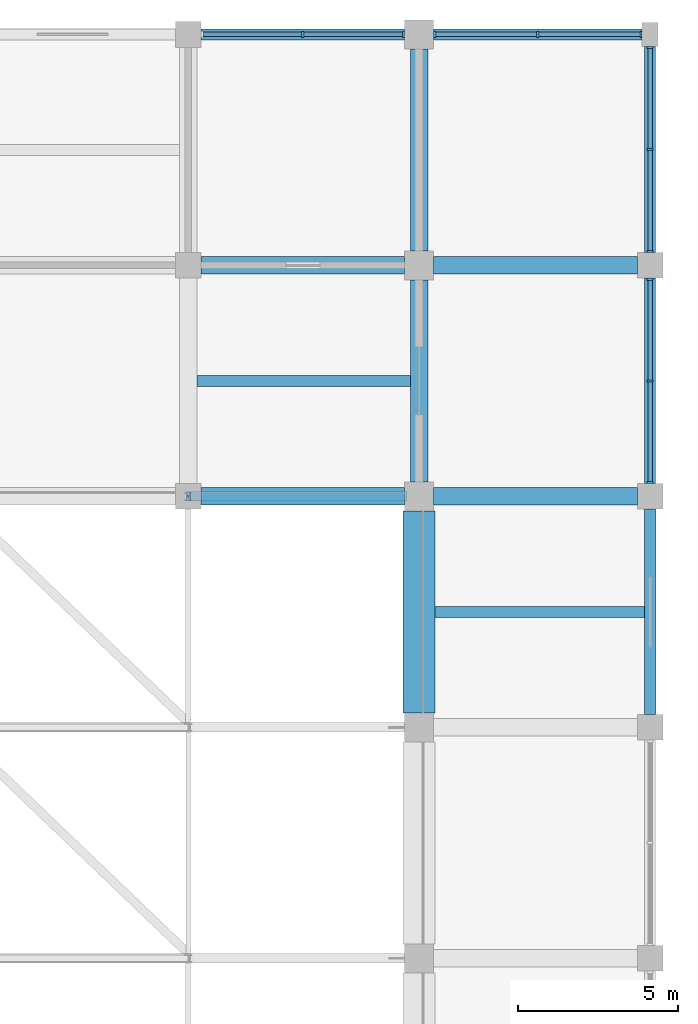
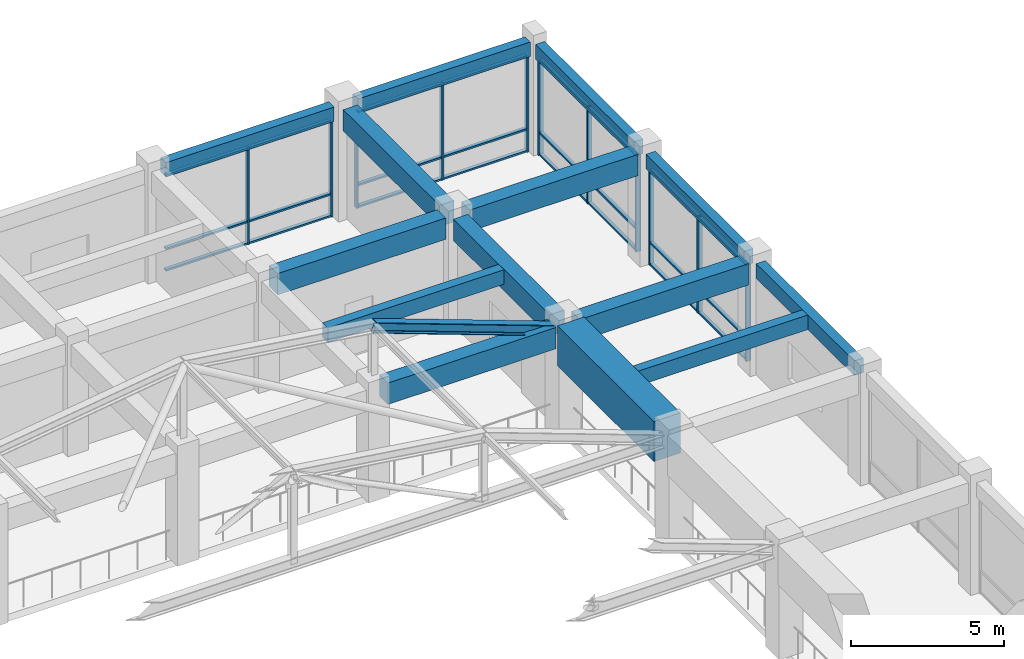
# One storey, part 46 of 75: 36 members, 14 beams, 4 elements without a shape of their own.
"""IFC4 building model written with IfcOpenShell, lengths in metres."""

from ifc_helpers import new_model, si_unit, direction, frame, origin, origin_2d, place, context, subcontext, project, spatial, rectangle, i_section, extrude, material, layer, layer_set, material_profile, profile_set, type_object, element, aggregate, save


model = new_model("IFC4")

# Units and contexts
model_context = context("Model", 3, precision=1e-05, world=origin(), true_north=direction((0.0, 1.0)))
body_context = subcontext(model_context, "Body", "Model", "MODEL_VIEW")
ifc_project = project(units=[si_unit("LENGTHUNIT", "METRE"), si_unit("AREAUNIT", "SQUARE_METRE"), si_unit("VOLUMEUNIT", "CUBIC_METRE"), si_unit("PLANEANGLEUNIT", "RADIAN"), si_unit("MASSUNIT", "GRAM", prefix="KILO")], contexts=[model_context])

# Site, building, storey
site_placement = place(None, origin())
site = spatial("IfcSite", under=ifc_project, at=site_placement, CompositionType="ELEMENT")
building_placement = place(site_placement, origin())
building = spatial("IfcBuilding", under=site, at=building_placement, Name="Cendaluz Park School", CompositionType="ELEMENT")
storey_placement = place(building_placement, frame((0.0, 0.0, 4.800048828125)))
storey = spatial("IfcBuildingStorey", under=building, at=storey_placement, Name="L01", CompositionType="ELEMENT", Elevation=4.800048828125)

# Beams
ifc_material_1 = material(Name="Concrete C40/50", Category="concrete")
ifc_material_profile_1 = material_profile(ifc_material_1, rectangle(XDim=0.550048828125, YDim=0.85009765625, at=origin_2d()), Name="RC 550x850", Category="concrete")
ifc_profile_set_1 = profile_set([ifc_material_profile_1], Name="Concrete C40/50")
beam_type_1 = type_object("IfcBeamType", Name="BM-RC01", PredefinedType="BEAM", material=ifc_profile_set_1)
for number, where, z_axis, x_axis, name in (
    (1, (158.800048828125, 100.800048828125, 4.0048828125), (1.0, 0.0, 0.0), (0.0, 1.0, 0.0), "BM-L01-BMRC01-0208"),
    (2, (158.800048828125, 108.0, 4.0048828125), (1.0, 0.0, 0.0), (0.0, 1.0, 0.0), "BM-L01-BMRC01-0209"),
    (3, (166.050048828125, 100.800048828125, 4.0048828125), (1.0, 0.0, 0.0), (0.0, 1.0, 0.0), "BM-L01-BMRC01-0222"),
    (4, (166.050048828125, 108.0, 4.0048828125), (1.0, 0.0, 0.0), (0.0, 1.0, 0.0), "BM-L01-BMRC01-0223"),
):
    element("IfcBeam", number, at=place(storey_placement, frame(where, z_axis=z_axis, x_axis=x_axis)), inside=storey, type_object=beam_type_1, Name=name, PredefinedType="BEAM", context=body_context, shape_type="SweptSolid", body=[
        extrude(rectangle(XDim=0.550048828125, YDim=0.85009765625, at=origin_2d()), origin(), (0.0, 0.0, 1.0), 6.349853515625),
    ])
for number, where, z_axis, x_axis, name in (
    (5, (165.60009765625, 101.25, 4.0048828125), (0.0, 1.0, 0.0), (-1.0, 0.0, 0.0), "BM-L01-BMRC01-0451"),
    (6, (165.60009765625, 108.449951171875, 4.0048828125), (0.0, 1.0, 0.0), (-1.0, 0.0, 0.0), "BM-L01-BMRC01-0452"),
):
    element("IfcBeam", number, at=place(storey_placement, frame(where, z_axis=z_axis, x_axis=x_axis)), inside=storey, type_object=beam_type_1, Name=name, PredefinedType="BEAM", context=body_context, shape_type="SweptSolid", body=[
        extrude(rectangle(XDim=0.550048828125, YDim=0.85009765625, at=origin_2d()), origin(), (0.0, 0.0, 1.0), 6.300048828125),
    ])
ifc_material_profile_2 = material_profile(ifc_material_1, rectangle(XDim=0.35009765625, YDim=0.580078125, at=origin_2d()), Name="RC 350x580", Category="concrete")
ifc_profile_set_2 = profile_set([ifc_material_profile_2], Name="Concrete C40/50")
beam_type_2 = type_object("IfcBeamType", Name="BM-RC04", PredefinedType="LINTEL", material=ifc_profile_set_2)
beam_1_placement = place(storey_placement, frame((158.800048828125, 115.199951171875, 4.139892578125), z_axis=(1.0, 0.0, 0.0), x_axis=(0.0, 1.0, 0.0)))
element("IfcBeam", 7, at=beam_1_placement, inside=storey, type_object=beam_type_2, Name="BM-L01-BMRC04-0210", PredefinedType="LINTEL", context=body_context, shape_type="SweptSolid", body=[
    extrude(rectangle(XDim=0.35009765625, YDim=0.580078125, at=origin_2d()), origin(), (0.0, 0.0, 1.0), 6.349853515625),
])
beam_2_placement = place(storey_placement, frame((166.050048828125, 115.199951171875, 4.139892578125), z_axis=(1.0, 0.0, 0.0), x_axis=(0.0, 1.0, 0.0)))
element("IfcBeam", 8, at=beam_2_placement, inside=storey, type_object=beam_type_2, Name="BM-L01-BMRC04-0224", PredefinedType="LINTEL", context=body_context, shape_type="SweptSolid", body=[
    extrude(rectangle(XDim=0.35009765625, YDim=0.580078125, at=origin_2d()), origin(), (0.0, 0.0, 1.0), 6.5),
])
beam_3_placement = place(storey_placement, frame((172.800048828125, 94.0, 4.139892578125), z_axis=(0.0, 1.0, 0.0), x_axis=(-1.0, 0.0, 0.0)))
element("IfcBeam", 9, at=beam_3_placement, inside=storey, type_object=beam_type_2, Name="BM-L01-BMRC04-0462", PredefinedType="LINTEL", context=body_context, shape_type="SweptSolid", body=[
    extrude(rectangle(XDim=0.35009765625, YDim=0.580078125, at=origin_2d()), origin(), (0.0, 0.0, 1.0), 6.39990234375),
])
beam_4_placement = place(storey_placement, frame((172.800048828125, 101.199951171875, 4.139892578125), z_axis=(0.0, 1.0, 0.0), x_axis=(-1.0, 0.0, 0.0)))
element("IfcBeam", 10, at=beam_4_placement, inside=storey, type_object=beam_type_2, Name="BM-L01-BMRC04-0463", PredefinedType="LINTEL", context=body_context, shape_type="SweptSolid", body=[
    extrude(rectangle(XDim=0.35009765625, YDim=0.580078125, at=origin_2d()), origin(), (0.0, 0.0, 1.0), 6.400146484375),
])
beam_5_placement = place(storey_placement, frame((172.800048828125, 108.39990234375, 4.139892578125), z_axis=(0.0, 1.0, 0.0), x_axis=(-1.0, 0.0, 0.0)))
element("IfcBeam", 11, at=beam_5_placement, inside=storey, type_object=beam_type_2, Name="BM-L01-BMRC04-0464", PredefinedType="LINTEL", context=body_context, shape_type="SweptSolid", body=[
    extrude(rectangle(XDim=0.35009765625, YDim=0.580078125, at=origin_2d()), origin(), (0.0, 0.0, 1.0), 6.425048828125),
])

# Curtain wall, members
ifc_material_2 = material(Name="Anodised Aluminium 6063-T6", Category="aluminium")
ifc_layer_1 = layer(ifc_material_2, 0.179931640625)
ifc_layer_set_1 = layer_set([ifc_layer_1], Name="Anodised Aluminium 6063-T6")
curtain_wall_type_1 = type_object("IfcCurtainWallType", Name="CW-127x77", PredefinedType="NOTDEFINED", material=ifc_layer_set_1)
curtain_wall_1_placement = place(storey_placement, origin())
curtain_wall_1 = element("IfcCurtainWall", 12, at=curtain_wall_1_placement, inside=storey, type_object=curtain_wall_type_1, Name="CW-L01-077", PredefinedType="NOTDEFINED")
ifc_material_profile_3 = material_profile(ifc_material_2, rectangle(XDim=0.179931640625, YDim=0.070068359375, at=origin_2d()), Name="CWM 180x70", Category="aluminium")
ifc_profile_set_3 = profile_set([ifc_material_profile_3], Name="Anodised Aluminium 6063-T6")
member_type_1 = type_object("IfcMemberType", Name="CWM-01", PredefinedType="MULLION", material=ifc_profile_set_3)
member_1_placement = place(storey_placement, frame((161.97509765625, 115.199951171875, 0.0), z_axis=(0.0, 0.0, 1.0), x_axis=(0.0, 1.0, 0.0)))
member_1 = element("IfcMember", 13, at=member_1_placement, type_object=member_type_1, Name="CP-L01-0990", PredefinedType="MULLION", context=body_context, shape_type="SweptSolid", body=[
    extrude(rectangle(XDim=0.179931640625, YDim=0.070068359375, at=origin_2d()), origin(), (0.0, 0.0, 1.0), 3.849853515625),
])
member_2_placement = place(storey_placement, frame((165.114990234375, 115.199951171875, 0.0), z_axis=(0.0, 0.0, 1.0), x_axis=(0.0, 1.0, 0.0)))
member_2 = element("IfcMember", 14, at=member_2_placement, type_object=member_type_1, Name="CP-L01-0991", PredefinedType="MULLION", context=body_context, shape_type="SweptSolid", body=[
    extrude(rectangle(XDim=0.179931640625, YDim=0.070068359375, at=origin_2d()), origin(), (0.0, 0.0, 1.0), 3.849853515625),
])

ifc_layer_2 = layer(ifc_material_2, 0.179931640625)
ifc_layer_set_2 = layer_set([ifc_layer_2], Name="Anodised Aluminium 6063-T6")
curtain_wall_type_2 = type_object("IfcCurtainWallType", Name="CW-128x77", PredefinedType="NOTDEFINED", material=ifc_layer_set_2)
curtain_wall_2_placement = place(storey_placement, origin())
curtain_wall_2 = element("IfcCurtainWall", 15, at=curtain_wall_2_placement, inside=storey, type_object=curtain_wall_type_2, Name="CW-L01-087", PredefinedType="NOTDEFINED")
member_3_placement = place(storey_placement, frame((172.800048828125, 101.235107421875, 0.0), z_axis=(0.0, 0.0, 1.0), x_axis=(-1.0, 0.0, 0.0)))
member_3 = element("IfcMember", 16, at=member_3_placement, type_object=member_type_1, Name="CP-L01-1119", PredefinedType="MULLION", context=body_context, shape_type="SweptSolid", body=[
    extrude(rectangle(XDim=0.179931640625, YDim=0.070068359375, at=origin_2d()), origin(), (0.0, 0.0, 1.0), 3.849853515625),
])
member_4_placement = place(storey_placement, frame((172.800048828125, 104.39990234375, 0.0), z_axis=(0.0, 0.0, 1.0), x_axis=(-1.0, 0.0, 0.0)))
member_4 = element("IfcMember", 17, at=member_4_placement, type_object=member_type_1, Name="CP-L01-1120", PredefinedType="MULLION", context=body_context, shape_type="SweptSolid", body=[
    extrude(rectangle(XDim=0.179931640625, YDim=0.070068359375, at=origin_2d()), origin(), (0.0, 0.0, 1.0), 3.849853515625),
])
member_5_placement = place(storey_placement, frame((172.800048828125, 107.56494140625, 0.0), z_axis=(0.0, 0.0, 1.0), x_axis=(-1.0, 0.0, 0.0)))
member_5 = element("IfcMember", 18, at=member_5_placement, type_object=member_type_1, Name="CP-L01-1121", PredefinedType="MULLION", context=body_context, shape_type="SweptSolid", body=[
    extrude(rectangle(XDim=0.179931640625, YDim=0.070068359375, at=origin_2d()), origin(), (0.0, 0.0, 1.0), 3.849853515625),
])

ifc_layer_3 = layer(ifc_material_2, 0.179931640625)
ifc_layer_set_3 = layer_set([ifc_layer_3], Name="Anodised Aluminium 6063-T6")
curtain_wall_type_3 = type_object("IfcCurtainWallType", Name="CW-130x77", PredefinedType="NOTDEFINED", material=ifc_layer_set_3)
curtain_wall_3_placement = place(storey_placement, origin())
curtain_wall_3 = element("IfcCurtainWall", 19, at=curtain_wall_3_placement, inside=storey, type_object=curtain_wall_type_3, Name="CW-L01-088", PredefinedType="NOTDEFINED")
member_6_placement = place(storey_placement, frame((166.0849609375, 115.199951171875, 0.0), z_axis=(0.0, 0.0, 1.0), x_axis=(0.0, 1.0, 0.0)))
member_6 = element("IfcMember", 20, at=member_6_placement, type_object=member_type_1, Name="CP-L01-1132", PredefinedType="MULLION", context=body_context, shape_type="SweptSolid", body=[
    extrude(rectangle(XDim=0.179931640625, YDim=0.070068359375, at=origin_2d()), origin(), (0.0, 0.0, 1.0), 3.849853515625),
])
member_7_placement = place(storey_placement, frame((169.300048828125, 115.199951171875, 0.0), z_axis=(0.0, 0.0, 1.0), x_axis=(0.0, 1.0, 0.0)))
member_7 = element("IfcMember", 21, at=member_7_placement, type_object=member_type_1, Name="CP-L01-1133", PredefinedType="MULLION", context=body_context, shape_type="SweptSolid", body=[
    extrude(rectangle(XDim=0.179931640625, YDim=0.070068359375, at=origin_2d()), origin(), (0.0, 0.0, 1.0), 3.849853515625),
])
member_8_placement = place(storey_placement, frame((172.514892578125, 115.199951171875, 0.0), z_axis=(0.0, 0.0, 1.0), x_axis=(0.0, 1.0, 0.0)))
member_8 = element("IfcMember", 22, at=member_8_placement, type_object=member_type_1, Name="CP-L01-1134", PredefinedType="MULLION", context=body_context, shape_type="SweptSolid", body=[
    extrude(rectangle(XDim=0.179931640625, YDim=0.070068359375, at=origin_2d()), origin(), (0.0, 0.0, 1.0), 3.849853515625),
])

curtain_wall_4_placement = place(storey_placement, origin())
curtain_wall_4 = element("IfcCurtainWall", 23, at=curtain_wall_4_placement, inside=storey, type_object=curtain_wall_type_2, Name="CW-L01-089", PredefinedType="NOTDEFINED")
member_9_placement = place(storey_placement, frame((172.800048828125, 108.43505859375, 0.0), z_axis=(0.0, 0.0, 1.0), x_axis=(-1.0, 0.0, 0.0)))
member_9 = element("IfcMember", 24, at=member_9_placement, type_object=member_type_1, Name="CP-L01-1145", PredefinedType="MULLION", context=body_context, shape_type="SweptSolid", body=[
    extrude(rectangle(XDim=0.179931640625, YDim=0.070068359375, at=origin_2d()), origin(), (0.0, 0.0, 1.0), 3.849853515625),
])
member_10_placement = place(storey_placement, frame((172.800048828125, 111.612548828125, 0.0), z_axis=(0.0, 0.0, 1.0), x_axis=(-1.0, 0.0, 0.0)))
member_10 = element("IfcMember", 25, at=member_10_placement, type_object=member_type_1, Name="CP-L01-1146", PredefinedType="MULLION", context=body_context, shape_type="SweptSolid", body=[
    extrude(rectangle(XDim=0.179931640625, YDim=0.070068359375, at=origin_2d()), origin(), (0.0, 0.0, 1.0), 3.849853515625),
])
member_11_placement = place(storey_placement, frame((172.800048828125, 114.7900390625, 0.0), z_axis=(0.0, 0.0, 1.0), x_axis=(-1.0, 0.0, 0.0)))
member_11 = element("IfcMember", 26, at=member_11_placement, type_object=member_type_1, Name="CP-L01-1147", PredefinedType="MULLION", context=body_context, shape_type="SweptSolid", body=[
    extrude(rectangle(XDim=0.179931640625, YDim=0.070068359375, at=origin_2d()), origin(), (0.0, 0.0, 1.0), 3.849853515625),
])

# Member
ifc_material_profile_4 = material_profile(ifc_material_2, rectangle(XDim=0.139892578125, YDim=0.070068359375, at=origin_2d()), Name="CWT 140x70", Category="aluminium")
ifc_profile_set_4 = profile_set([ifc_material_profile_4], Name="Anodised Aluminium 6063-T6")
member_type_2 = type_object("IfcMemberType", Name="CWT-01", PredefinedType="USERDEFINED", material=ifc_profile_set_4)
member_12_placement = place(storey_placement, frame((158.8701171875, 115.199951171875, 0.034912109375), z_axis=(1.0, 0.0, 0.0), x_axis=(0.0, 1.0, 0.0)))
member_12 = element("IfcMember", 27, at=member_12_placement, type_object=member_type_2, Name="CP-L01-0992", ObjectType="TRANSOM", PredefinedType="USERDEFINED", context=body_context, shape_type="SweptSolid", body=[
    extrude(rectangle(XDim=0.139892578125, YDim=0.070068359375, at=origin_2d()), origin(), (0.0, 0.0, 1.0), 3.06982421875),
])

member_13_placement = place(storey_placement, frame((158.8701171875, 115.199951171875, 0.89990234375), z_axis=(1.0, 0.0, 0.0), x_axis=(0.0, 1.0, 0.0)))
member_13 = element("IfcMember", 28, at=member_13_placement, type_object=member_type_2, Name="CP-L01-0993", ObjectType="TRANSOM", PredefinedType="USERDEFINED", context=body_context, shape_type="SweptSolid", body=[
    extrude(rectangle(XDim=0.139892578125, YDim=0.070068359375, at=origin_2d()), origin(), (0.0, 0.0, 1.0), 3.06982421875),
])

member_14_placement = place(storey_placement, frame((158.8701171875, 115.199951171875, 3.81494140625), z_axis=(1.0, 0.0, 0.0), x_axis=(0.0, 1.0, 0.0)))
member_14 = element("IfcMember", 29, at=member_14_placement, type_object=member_type_2, Name="CP-L01-0994", ObjectType="TRANSOM", PredefinedType="USERDEFINED", context=body_context, shape_type="SweptSolid", body=[
    extrude(rectangle(XDim=0.139892578125, YDim=0.070068359375, at=origin_2d()), origin(), (0.0, 0.0, 1.0), 3.06982421875),
])

member_15_placement = place(storey_placement, frame((162.010009765625, 115.199951171875, 0.034912109375), z_axis=(1.0, 0.0, 0.0), x_axis=(0.0, 1.0, 0.0)))
member_15 = element("IfcMember", 30, at=member_15_placement, type_object=member_type_2, Name="CP-L01-0997", ObjectType="TRANSOM", PredefinedType="USERDEFINED", context=body_context, shape_type="SweptSolid", body=[
    extrude(rectangle(XDim=0.139892578125, YDim=0.070068359375, at=origin_2d()), origin(), (0.0, 0.0, 1.0), 3.070068359375),
])

member_16_placement = place(storey_placement, frame((162.010009765625, 115.199951171875, 0.89990234375), z_axis=(1.0, 0.0, 0.0), x_axis=(0.0, 1.0, 0.0)))
member_16 = element("IfcMember", 31, at=member_16_placement, type_object=member_type_2, Name="CP-L01-0998", ObjectType="TRANSOM", PredefinedType="USERDEFINED", context=body_context, shape_type="SweptSolid", body=[
    extrude(rectangle(XDim=0.139892578125, YDim=0.070068359375, at=origin_2d()), origin(), (0.0, 0.0, 1.0), 3.070068359375),
])

member_17_placement = place(storey_placement, frame((162.010009765625, 115.199951171875, 3.81494140625), z_axis=(1.0, 0.0, 0.0), x_axis=(0.0, 1.0, 0.0)))
member_17 = element("IfcMember", 32, at=member_17_placement, type_object=member_type_2, Name="CP-L01-0999", ObjectType="TRANSOM", PredefinedType="USERDEFINED", context=body_context, shape_type="SweptSolid", body=[
    extrude(rectangle(XDim=0.139892578125, YDim=0.070068359375, at=origin_2d()), origin(), (0.0, 0.0, 1.0), 3.070068359375),
])

aggregate(curtain_wall_1, [member_1, member_2, member_12, member_13, member_14, member_15, member_16, member_17])

member_18_placement = place(storey_placement, frame((172.800048828125, 101.27001953125, 0.034912109375), z_axis=(0.0, 1.0, 0.0), x_axis=(-1.0, 0.0, 0.0)))
member_18 = element("IfcMember", 33, at=member_18_placement, type_object=member_type_2, Name="CP-L01-1122", ObjectType="TRANSOM", PredefinedType="USERDEFINED", context=body_context, shape_type="SweptSolid", body=[
    extrude(rectangle(XDim=0.139892578125, YDim=0.070068359375, at=origin_2d()), origin(), (0.0, 0.0, 1.0), 3.094970703125),
])

member_19_placement = place(storey_placement, frame((172.800048828125, 101.27001953125, 0.89990234375), z_axis=(0.0, 1.0, 0.0), x_axis=(-1.0, 0.0, 0.0)))
member_19 = element("IfcMember", 34, at=member_19_placement, type_object=member_type_2, Name="CP-L01-1123", ObjectType="TRANSOM", PredefinedType="USERDEFINED", context=body_context, shape_type="SweptSolid", body=[
    extrude(rectangle(XDim=0.139892578125, YDim=0.070068359375, at=origin_2d()), origin(), (0.0, 0.0, 1.0), 3.094970703125),
])

member_20_placement = place(storey_placement, frame((172.800048828125, 101.27001953125, 3.81494140625), z_axis=(0.0, 1.0, 0.0), x_axis=(-1.0, 0.0, 0.0)))
member_20 = element("IfcMember", 35, at=member_20_placement, type_object=member_type_2, Name="CP-L01-1124", ObjectType="TRANSOM", PredefinedType="USERDEFINED", context=body_context, shape_type="SweptSolid", body=[
    extrude(rectangle(XDim=0.139892578125, YDim=0.070068359375, at=origin_2d()), origin(), (0.0, 0.0, 1.0), 3.094970703125),
])

member_21_placement = place(storey_placement, frame((172.800048828125, 104.43505859375, 0.034912109375), z_axis=(0.0, 1.0, 0.0), x_axis=(-1.0, 0.0, 0.0)))
member_21 = element("IfcMember", 36, at=member_21_placement, type_object=member_type_2, Name="CP-L01-1127", ObjectType="TRANSOM", PredefinedType="USERDEFINED", context=body_context, shape_type="SweptSolid", body=[
    extrude(rectangle(XDim=0.139892578125, YDim=0.070068359375, at=origin_2d()), origin(), (0.0, 0.0, 1.0), 3.094970703125),
])

member_22_placement = place(storey_placement, frame((172.800048828125, 104.43505859375, 0.89990234375), z_axis=(0.0, 1.0, 0.0), x_axis=(-1.0, 0.0, 0.0)))
member_22 = element("IfcMember", 37, at=member_22_placement, type_object=member_type_2, Name="CP-L01-1128", ObjectType="TRANSOM", PredefinedType="USERDEFINED", context=body_context, shape_type="SweptSolid", body=[
    extrude(rectangle(XDim=0.139892578125, YDim=0.070068359375, at=origin_2d()), origin(), (0.0, 0.0, 1.0), 3.094970703125),
])

member_23_placement = place(storey_placement, frame((172.800048828125, 104.43505859375, 3.81494140625), z_axis=(0.0, 1.0, 0.0), x_axis=(-1.0, 0.0, 0.0)))
member_23 = element("IfcMember", 38, at=member_23_placement, type_object=member_type_2, Name="CP-L01-1129", ObjectType="TRANSOM", PredefinedType="USERDEFINED", context=body_context, shape_type="SweptSolid", body=[
    extrude(rectangle(XDim=0.139892578125, YDim=0.070068359375, at=origin_2d()), origin(), (0.0, 0.0, 1.0), 3.094970703125),
])

aggregate(curtain_wall_2, [member_3, member_4, member_5, member_18, member_19, member_20, member_21, member_22, member_23])

member_24_placement = place(storey_placement, frame((166.1201171875, 115.199951171875, 0.034912109375), z_axis=(1.0, 0.0, 0.0), x_axis=(0.0, 1.0, 0.0)))
member_24 = element("IfcMember", 39, at=member_24_placement, type_object=member_type_2, Name="CP-L01-1135", ObjectType="TRANSOM", PredefinedType="USERDEFINED", context=body_context, shape_type="SweptSolid", body=[
    extrude(rectangle(XDim=0.139892578125, YDim=0.070068359375, at=origin_2d()), origin(), (0.0, 0.0, 1.0), 3.144775390625),
])

member_25_placement = place(storey_placement, frame((166.1201171875, 115.199951171875, 0.89990234375), z_axis=(1.0, 0.0, 0.0), x_axis=(0.0, 1.0, 0.0)))
member_25 = element("IfcMember", 40, at=member_25_placement, type_object=member_type_2, Name="CP-L01-1136", ObjectType="TRANSOM", PredefinedType="USERDEFINED", context=body_context, shape_type="SweptSolid", body=[
    extrude(rectangle(XDim=0.139892578125, YDim=0.070068359375, at=origin_2d()), origin(), (0.0, 0.0, 1.0), 3.144775390625),
])

member_26_placement = place(storey_placement, frame((166.1201171875, 115.199951171875, 3.81494140625), z_axis=(1.0, 0.0, 0.0), x_axis=(0.0, 1.0, 0.0)))
member_26 = element("IfcMember", 41, at=member_26_placement, type_object=member_type_2, Name="CP-L01-1137", ObjectType="TRANSOM", PredefinedType="USERDEFINED", context=body_context, shape_type="SweptSolid", body=[
    extrude(rectangle(XDim=0.139892578125, YDim=0.070068359375, at=origin_2d()), origin(), (0.0, 0.0, 1.0), 3.144775390625),
])

member_27_placement = place(storey_placement, frame((169.3349609375, 115.199951171875, 0.034912109375), z_axis=(1.0, 0.0, 0.0), x_axis=(0.0, 1.0, 0.0)))
member_27 = element("IfcMember", 42, at=member_27_placement, type_object=member_type_2, Name="CP-L01-1140", ObjectType="TRANSOM", PredefinedType="USERDEFINED", context=body_context, shape_type="SweptSolid", body=[
    extrude(rectangle(XDim=0.139892578125, YDim=0.070068359375, at=origin_2d()), origin(), (0.0, 0.0, 1.0), 3.14501953125),
])

member_28_placement = place(storey_placement, frame((169.3349609375, 115.199951171875, 0.89990234375), z_axis=(1.0, 0.0, 0.0), x_axis=(0.0, 1.0, 0.0)))
member_28 = element("IfcMember", 43, at=member_28_placement, type_object=member_type_2, Name="CP-L01-1141", ObjectType="TRANSOM", PredefinedType="USERDEFINED", context=body_context, shape_type="SweptSolid", body=[
    extrude(rectangle(XDim=0.139892578125, YDim=0.070068359375, at=origin_2d()), origin(), (0.0, 0.0, 1.0), 3.14501953125),
])

member_29_placement = place(storey_placement, frame((169.3349609375, 115.199951171875, 3.81494140625), z_axis=(1.0, 0.0, 0.0), x_axis=(0.0, 1.0, 0.0)))
member_29 = element("IfcMember", 44, at=member_29_placement, type_object=member_type_2, Name="CP-L01-1142", ObjectType="TRANSOM", PredefinedType="USERDEFINED", context=body_context, shape_type="SweptSolid", body=[
    extrude(rectangle(XDim=0.139892578125, YDim=0.070068359375, at=origin_2d()), origin(), (0.0, 0.0, 1.0), 3.14501953125),
])

aggregate(curtain_wall_3, [member_6, member_7, member_8, member_24, member_25, member_26, member_27, member_28, member_29])

member_30_placement = place(storey_placement, frame((172.800048828125, 108.469970703125, 0.034912109375), z_axis=(0.0, 1.0, 0.0), x_axis=(-1.0, 0.0, 0.0)))
member_30 = element("IfcMember", 45, at=member_30_placement, type_object=member_type_2, Name="CP-L01-1148", ObjectType="TRANSOM", PredefinedType="USERDEFINED", context=body_context, shape_type="SweptSolid", body=[
    extrude(rectangle(XDim=0.139892578125, YDim=0.070068359375, at=origin_2d()), origin(), (0.0, 0.0, 1.0), 3.107421875),
])

member_31_placement = place(storey_placement, frame((172.800048828125, 108.469970703125, 0.89990234375), z_axis=(0.0, 1.0, 0.0), x_axis=(-1.0, 0.0, 0.0)))
member_31 = element("IfcMember", 46, at=member_31_placement, type_object=member_type_2, Name="CP-L01-1149", ObjectType="TRANSOM", PredefinedType="USERDEFINED", context=body_context, shape_type="SweptSolid", body=[
    extrude(rectangle(XDim=0.139892578125, YDim=0.070068359375, at=origin_2d()), origin(), (0.0, 0.0, 1.0), 3.107421875),
])

member_32_placement = place(storey_placement, frame((172.800048828125, 108.469970703125, 3.81494140625), z_axis=(0.0, 1.0, 0.0), x_axis=(-1.0, 0.0, 0.0)))
member_32 = element("IfcMember", 47, at=member_32_placement, type_object=member_type_2, Name="CP-L01-1150", ObjectType="TRANSOM", PredefinedType="USERDEFINED", context=body_context, shape_type="SweptSolid", body=[
    extrude(rectangle(XDim=0.139892578125, YDim=0.070068359375, at=origin_2d()), origin(), (0.0, 0.0, 1.0), 3.107421875),
])

member_33_placement = place(storey_placement, frame((172.800048828125, 111.6474609375, 0.034912109375), z_axis=(0.0, 1.0, 0.0), x_axis=(-1.0, 0.0, 0.0)))
member_33 = element("IfcMember", 48, at=member_33_placement, type_object=member_type_2, Name="CP-L01-1153", ObjectType="TRANSOM", PredefinedType="USERDEFINED", context=body_context, shape_type="SweptSolid", body=[
    extrude(rectangle(XDim=0.139892578125, YDim=0.070068359375, at=origin_2d()), origin(), (0.0, 0.0, 1.0), 3.107421875),
])

member_34_placement = place(storey_placement, frame((172.800048828125, 111.6474609375, 0.89990234375), z_axis=(0.0, 1.0, 0.0), x_axis=(-1.0, 0.0, 0.0)))
member_34 = element("IfcMember", 49, at=member_34_placement, type_object=member_type_2, Name="CP-L01-1154", ObjectType="TRANSOM", PredefinedType="USERDEFINED", context=body_context, shape_type="SweptSolid", body=[
    extrude(rectangle(XDim=0.139892578125, YDim=0.070068359375, at=origin_2d()), origin(), (0.0, 0.0, 1.0), 3.107421875),
])

member_35_placement = place(storey_placement, frame((172.800048828125, 111.6474609375, 3.81494140625), z_axis=(0.0, 1.0, 0.0), x_axis=(-1.0, 0.0, 0.0)))
member_35 = element("IfcMember", 50, at=member_35_placement, type_object=member_type_2, Name="CP-L01-1155", ObjectType="TRANSOM", PredefinedType="USERDEFINED", context=body_context, shape_type="SweptSolid", body=[
    extrude(rectangle(XDim=0.139892578125, YDim=0.070068359375, at=origin_2d()), origin(), (0.0, 0.0, 1.0), 3.107421875),
])

aggregate(curtain_wall_4, [member_9, member_10, member_11, member_30, member_31, member_32, member_33, member_34, member_35])

# Beams
ifc_material_profile_5 = material_profile(ifc_material_1, rectangle(XDim=0.35009765625, YDim=0.580078125, at=origin_2d()), Name="RC 350x580", Category="concrete")
ifc_profile_set_5 = profile_set([ifc_material_profile_5], Name="Concrete C40/50")
beam_type_3 = type_object("IfcBeamType", Name="JT-RC01", PredefinedType="JOIST", material=ifc_profile_set_5)
beam_6_placement = place(storey_placement, frame((158.675048828125, 104.39990234375, 4.139892578125), z_axis=(1.0, 0.0, 0.0), x_axis=(0.0, 1.0, 0.0)))
element("IfcBeam", 51, at=beam_6_placement, inside=storey, type_object=beam_type_3, Name="BM-L01-JTRC01-0521", PredefinedType="JOIST", context=body_context, shape_type="SweptSolid", body=[
    extrude(rectangle(XDim=0.35009765625, YDim=0.580078125, at=origin_2d()), origin(), (0.0, 0.0, 1.0), 6.64990234375),
])
beam_7_placement = place(storey_placement, frame((166.10009765625, 97.199951171875, 4.139892578125), z_axis=(1.0, 0.0, 0.0), x_axis=(0.0, 1.0, 0.0)))
element("IfcBeam", 52, at=beam_7_placement, inside=storey, type_object=beam_type_3, Name="BM-L01-JTRC01-0524", PredefinedType="JOIST", context=body_context, shape_type="SweptSolid", body=[
    extrude(rectangle(XDim=0.35009765625, YDim=0.580078125, at=origin_2d()), origin(), (0.0, 0.0, 1.0), 6.52490234375),
])

# Member
ifc_material_3 = material(Name="Steel S355", Category="steel")
ifc_material_profile_6 = material_profile(ifc_material_3, i_section(OverallWidth=0.300048828125, OverallDepth=0.39990234375, WebThickness=0.013916015625, FlangeThickness=0.02392578125, FilletRadius=0.027099609375, at=origin_2d()), Name="HEB 400", Category="steel")
ifc_profile_set_6 = profile_set([ifc_material_profile_6], Name="Steel S355")
member_type_3 = type_object("IfcMemberType", Name="MB-CH01", PredefinedType="CHORD", material=ifc_profile_set_6)
member_36_placement = place(storey_placement, frame((158.39990234375, 100.800048828125, 6.68994140625), z_axis=(0.939102267455, 0.0, -0.343637790793), x_axis=(0.0, 1.0, 0.0)))
element("IfcMember", 53, at=member_36_placement, inside=storey, type_object=member_type_3, Name="MB-L01-MBCH01-0143", PredefinedType="CHORD", context=body_context, shape_type="SweptSolid", body=[
    extrude(i_section(OverallWidth=0.300048828125, OverallDepth=0.39990234375, WebThickness=0.013916015625, FlangeThickness=0.02392578125, FilletRadius=0.027099609375, at=origin_2d()), origin(), (0.0, 0.0, 1.0), 7.187744140625),
])

# Beam
ifc_material_profile_7 = material_profile(ifc_material_1, rectangle(XDim=1.0, YDim=1.60009765625, at=origin_2d()), Name="RC 1000x1600", Category="concrete")
ifc_profile_set_7 = profile_set([ifc_material_profile_7], Name="Concrete C40/50")
beam_type_4 = type_object("IfcBeamType", Name="TG-RC01", PredefinedType="BEAM", material=ifc_profile_set_7)
beam_8_placement = place(storey_placement, frame((165.60009765625, 94.050048828125, 3.820068359375), z_axis=(0.0, 1.0, 0.0), x_axis=(-1.0, 0.0, 0.0)))
element("IfcBeam", 54, at=beam_8_placement, inside=storey, type_object=beam_type_4, Name="Barrel Vault Collector Girder BM-L01-TGRC01-0450", PredefinedType="BEAM", context=body_context, shape_type="SweptSolid", body=[
    extrude(rectangle(XDim=1.0, YDim=1.60009765625, at=origin_2d()), origin(), (0.0, 0.0, 1.0), 6.300048828125),
])

save(model, "model.ifc")
